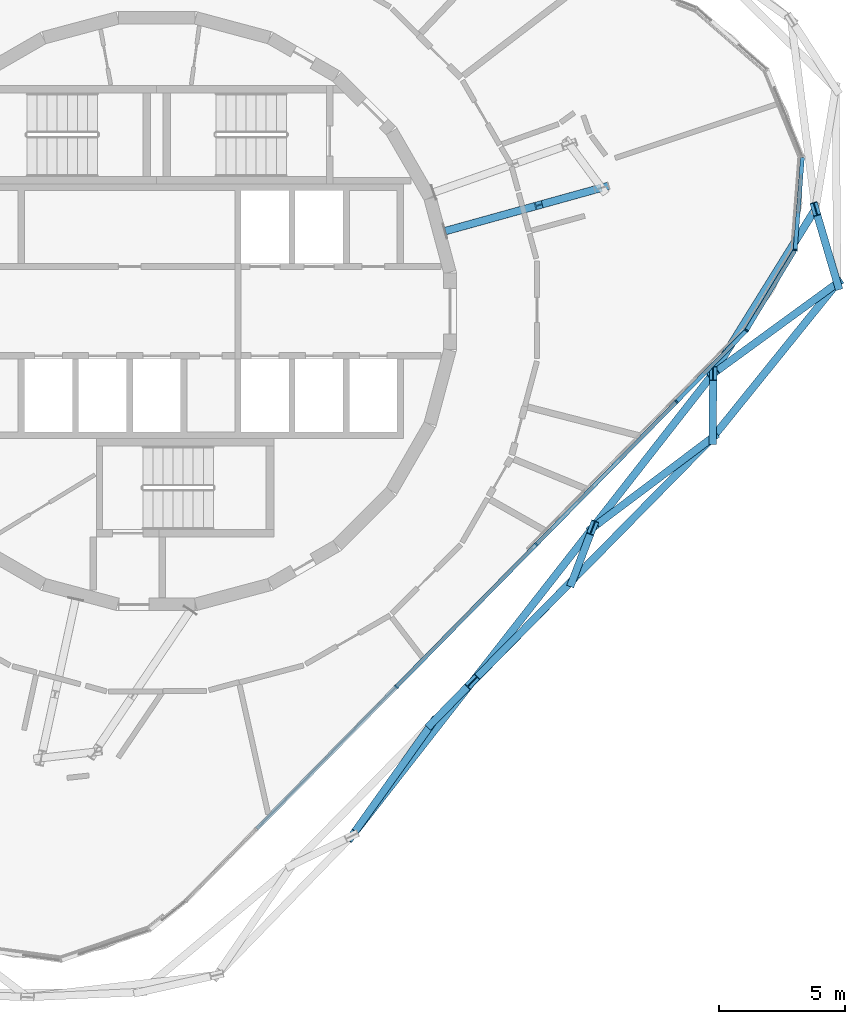
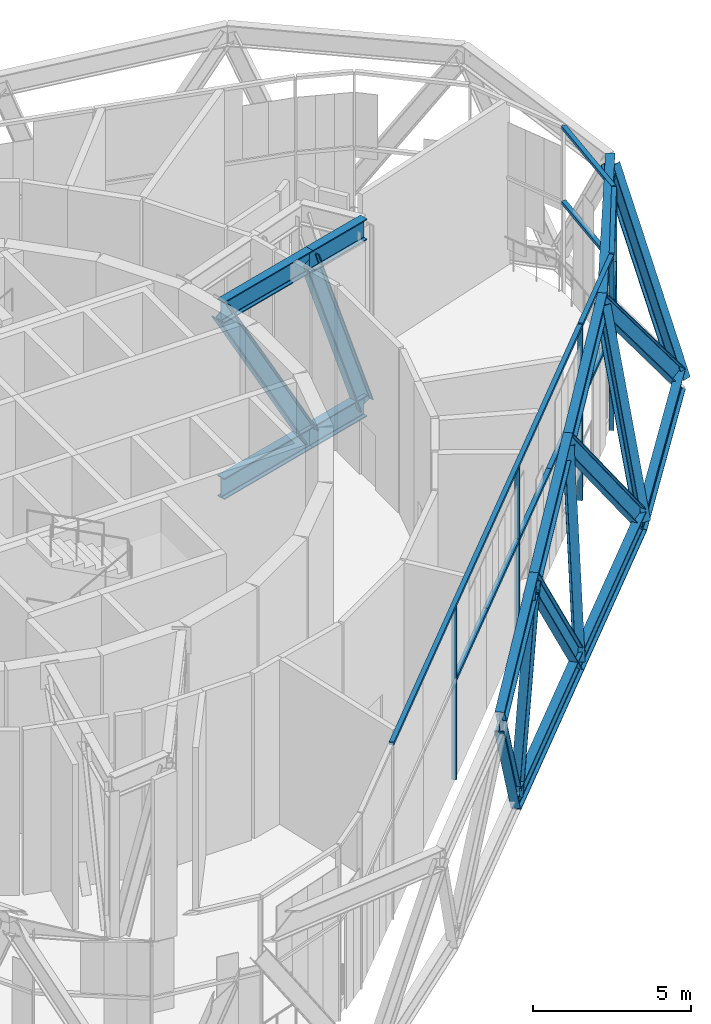
# One storey, part 4 of 23: 37 members, 2 elements without a shape of their own.
"""IFC4 building model written with IfcOpenShell, lengths in metres."""

from ifc_helpers import new_model, si_unit, direction, frame, origin, origin_2d, place, context, subcontext, project, spatial, rectangle, i_section, extrude, material, layer, layer_set, material_profile, profile_set, type_object, element, aggregate, save


model = new_model("IFC4")

# Units and contexts
model_context = context("Model", 3, precision=1e-05, world=origin(), true_north=direction((0.0, 1.0)))
body_context = subcontext(model_context, "Body", "Model", "MODEL_VIEW")
ifc_project = project(units=[si_unit("LENGTHUNIT", "METRE"), si_unit("AREAUNIT", "SQUARE_METRE"), si_unit("VOLUMEUNIT", "CUBIC_METRE"), si_unit("PLANEANGLEUNIT", "RADIAN"), si_unit("MASSUNIT", "GRAM", prefix="KILO")], contexts=[model_context])

# Site, building, storey
site_placement = place(None, origin())
site = spatial("IfcSite", under=ifc_project, at=site_placement, CompositionType="ELEMENT")
building_placement = place(site_placement, origin())
building = spatial("IfcBuilding", under=site, at=building_placement, Name="Spindle Arch Residences", CompositionType="ELEMENT")
storey_placement = place(building_placement, frame((0.0, 0.0, 326.199951171875)))
storey = spatial("IfcBuildingStorey", under=building, at=storey_placement, Name="L84", CompositionType="ELEMENT", Elevation=326.199951171875)

# Members
ifc_material_1 = material(Name="Steel S460ML, intumescent coating R 240", Category="steel")
ifc_material_profile_1 = material_profile(ifc_material_1, i_section(OverallWidth=0.302978515625, OverallDepth=0.81396484375, WebThickness=0.02099609375, FlangeThickness=0.0400390625, FilletRadius=0.030029296875, at=origin_2d()), Name="HEM 800")
ifc_profile_set_1 = profile_set([ifc_material_profile_1], Name="Steel S460ML, intumescent coating R 240")
member_type_1 = type_object("IfcMemberType", Name="Belt truss chord HEM 800", PredefinedType="CHORD", material=ifc_profile_set_1)
member_1_placement = place(storey_placement, frame((16.521484375, -10.6728515625, -0.85693359375), z_axis=(0.700911018066, 0.713248725728, 0.0), x_axis=(-0.713248725728, 0.700911018066, 0.0)))
element("IfcMember", 1, at=member_1_placement, inside=storey, type_object=member_type_1, Name="Belt truss bottom chord L84.1", PredefinedType="CHORD", context=body_context, shape_type="SweptSolid", body=[
    extrude(i_section(OverallWidth=0.302978515625, OverallDepth=0.81396484375, WebThickness=0.02099609375, FlangeThickness=0.0400390625, FilletRadius=0.030029296875, at=origin_2d()), origin(), (0.0, 0.0, 1.0), 7.93505859375),
])
member_2_placement = place(storey_placement, frame((22.083251953125, -5.01318359375, -0.85693359375), z_axis=(0.627968850292, 0.778238474417, 0.0), x_axis=(-0.778238474417, 0.627968850292, 0.0)))
element("IfcMember", 2, at=member_2_placement, inside=storey, type_object=member_type_1, Name="Belt truss bottom chord L84.2", PredefinedType="CHORD", context=body_context, shape_type="SweptSolid", body=[
    extrude(i_section(OverallWidth=0.302978515625, OverallDepth=0.81396484375, WebThickness=0.02099609375, FlangeThickness=0.0400390625, FilletRadius=0.030029296875, at=origin_2d()), origin(), (0.0, 0.0, 1.0), 7.87158203125),
])
member_3_placement = place(storey_placement, frame((10.959716796875, -16.33251953125, -0.85693359375), z_axis=(0.700911018066, 0.713248725728, 0.0), x_axis=(-0.713248725728, 0.700911018066, 0.0)))
element("IfcMember", 3, at=member_3_placement, inside=storey, type_object=member_type_1, Name="Belt truss bottom chord L84.20", PredefinedType="CHORD", context=body_context, shape_type="SweptSolid", body=[
    extrude(i_section(OverallWidth=0.302978515625, OverallDepth=0.81396484375, WebThickness=0.02099609375, FlangeThickness=0.0400390625, FilletRadius=0.030029296875, at=origin_2d()), origin(), (0.0, 0.0, 1.0), 7.93505859375),
])
member_4_placement = place(storey_placement, frame((17.314208984375, -8.60009765625, 5.943115234375), z_axis=(0.615662954551, 0.788009597907, 0.0), x_axis=(-0.788009597907, 0.615662954551, 0.0)))
element("IfcMember", 4, at=member_4_placement, inside=storey, type_object=member_type_1, Name="Belt truss top chord L84.1", PredefinedType="CHORD", context=body_context, shape_type="SweptSolid", body=[
    extrude(i_section(OverallWidth=0.302978515625, OverallDepth=0.81396484375, WebThickness=0.02099609375, FlangeThickness=0.0400390625, FilletRadius=0.030029296875, at=origin_2d()), origin(), (0.0, 0.0, 1.0), 7.765625),
])
member_5_placement = place(storey_placement, frame((22.09521484375, -2.480712890625, 5.943115234375), z_axis=(0.527879093468, 0.849319529199, 0.0), x_axis=(-0.849319529199, 0.527879093468, 0.0)))
element("IfcMember", 5, at=member_5_placement, inside=storey, type_object=member_type_1, Name="Belt truss top chord L84.2", PredefinedType="CHORD", context=body_context, shape_type="SweptSolid", body=[
    extrude(i_section(OverallWidth=0.302978515625, OverallDepth=0.81396484375, WebThickness=0.02099609375, FlangeThickness=0.0400390625, FilletRadius=0.030029296875, at=origin_2d()), origin(), (0.0, 0.0, 1.0), 7.69775390625),
])
member_6_placement = place(storey_placement, frame((7.752197265625, -20.838623046875, 5.943115234375), z_axis=(0.615662954551, 0.788009597907, 0.0), x_axis=(-0.788009597907, 0.615662954551, 0.0)))
element("IfcMember", 6, at=member_6_placement, inside=storey, type_object=member_type_1, Name="Belt truss top chord L84.19", PredefinedType="CHORD", context=body_context, shape_type="SweptSolid", body=[
    extrude(i_section(OverallWidth=0.302978515625, OverallDepth=0.81396484375, WebThickness=0.02099609375, FlangeThickness=0.0400390625, FilletRadius=0.030029296875, at=origin_2d()), origin(), (0.0, 0.0, 1.0), 7.765625),
])
member_7_placement = place(storey_placement, frame((12.533203125, -14.71923828125, 5.943115234375), z_axis=(0.615678207218, 0.787997680933, 0.0), x_axis=(-0.787997680933, 0.615678207218, 0.0)))
element("IfcMember", 7, at=member_7_placement, inside=storey, type_object=member_type_1, Name="Belt truss top chord L84.20", PredefinedType="CHORD", context=body_context, shape_type="SweptSolid", body=[
    extrude(i_section(OverallWidth=0.302978515625, OverallDepth=0.81396484375, WebThickness=0.02099609375, FlangeThickness=0.0400390625, FilletRadius=0.030029296875, at=origin_2d()), origin(), (0.0, 0.0, 1.0), 7.765380859375),
])
ifc_material_2 = material(Name="Steel S460ML, intumescent coating R 240", Category="steel")
ifc_material_profile_2 = material_profile(ifc_material_2, i_section(OverallWidth=0.300048828125, OverallDepth=0.60009765625, WebThickness=0.015380859375, FlangeThickness=0.030029296875, FilletRadius=0.027099609375, at=origin_2d()), Name="HEB 600")
ifc_profile_set_2 = profile_set([ifc_material_profile_2], Name="Steel S460ML, intumescent coating R 240")
member_type_2 = type_object("IfcMemberType", Name="Belt truss diagonal HEB 600", PredefinedType="BRACE", material=ifc_profile_set_2)
member_8_placement = place(storey_placement, frame((16.521484375, -10.6728515625, -0.85693359375), z_axis=(0.11082410098, 0.289774135301, 0.950657124916), x_axis=(-0.934021608704, 0.357216509242, 0.0)))
element("IfcMember", 8, at=member_8_placement, inside=storey, type_object=member_type_2, Name="Belt truss diagonal L84.1.1", PredefinedType="BRACE", context=body_context, shape_type="SweptSolid", body=[
    extrude(i_section(OverallWidth=0.300048828125, OverallDepth=0.60009765625, WebThickness=0.015380859375, FlangeThickness=0.030029296875, FilletRadius=0.027099609375, at=origin_2d()), origin(), (0.0, 0.0, 1.0), 7.153076171875),
])
member_9_placement = place(storey_placement, frame((22.083251953125, -5.01318359375, -0.85693359375), z_axis=(-0.527133801907, -0.396470247651, 0.751625769659), x_axis=(0.601086081845, -0.799184285514, 0.0)))
element("IfcMember", 9, at=member_9_placement, inside=storey, type_object=member_type_2, Name="Belt truss diagonal L84.1.2", PredefinedType="BRACE", context=body_context, shape_type="SweptSolid", body=[
    extrude(i_section(OverallWidth=0.300048828125, OverallDepth=0.60009765625, WebThickness=0.015380859375, FlangeThickness=0.030029296875, FilletRadius=0.027099609375, at=origin_2d()), origin(), (0.0, 0.0, 1.0), 9.047119140625),
])
member_10_placement = place(storey_placement, frame((22.083251953125, -5.01318359375, -0.85693359375), z_axis=(0.001648616191, 0.349001954041, 0.937120546216), x_axis=(-0.999988843033, 0.004723749475, 0.0)))
element("IfcMember", 10, at=member_10_placement, inside=storey, type_object=member_type_2, Name="Belt truss diagonal L84.2.2", PredefinedType="BRACE", context=body_context, shape_type="SweptSolid", body=[
    extrude(i_section(OverallWidth=0.300048828125, OverallDepth=0.60009765625, WebThickness=0.015380859375, FlangeThickness=0.030029296875, FilletRadius=0.027099609375, at=origin_2d()), origin(), (0.0, 0.0, 1.0), 7.25634765625),
])
member_11_placement = place(storey_placement, frame((27.0263671875, 1.11279296875, -0.85693359375), z_axis=(-0.539737585582, -0.393325949212, 0.74429700818), x_axis=(0.588944644244, -0.808173376211, 0.0)))
element("IfcMember", 11, at=member_11_placement, inside=storey, type_object=member_type_2, Name="Belt truss diagonal L84.2.3", PredefinedType="BRACE", context=body_context, shape_type="SweptSolid", body=[
    extrude(i_section(OverallWidth=0.300048828125, OverallDepth=0.60009765625, WebThickness=0.015380859375, FlangeThickness=0.030029296875, FilletRadius=0.027099609375, at=origin_2d()), origin(), (0.0, 0.0, 1.0), 9.13623046875),
])
member_12_placement = place(storey_placement, frame((27.0263671875, 1.11279296875, -0.85693359375), z_axis=(-0.116298892084, 0.39464396132, 0.911444299721), x_axis=(-0.959215918552, -0.282674409165, 0.0)))
element("IfcMember", 12, at=member_12_placement, inside=storey, type_object=member_type_2, Name="Belt truss diagonal L84.3.3", PredefinedType="BRACE", context=body_context, shape_type="SweptSolid", body=[
    extrude(i_section(OverallWidth=0.300048828125, OverallDepth=0.60009765625, WebThickness=0.015380859375, FlangeThickness=0.030029296875, FilletRadius=0.027099609375, at=origin_2d()), origin(), (0.0, 0.0, 1.0), 7.460693359375),
])
member_13_placement = place(storey_placement, frame((10.959716796875, -16.33251953125, -0.85693359375), z_axis=(-0.365925868423, -0.514073203949, 0.775775096147), x_axis=(0.814683767483, -0.579905474194, 0.0)))
element("IfcMember", 13, at=member_13_placement, inside=storey, type_object=member_type_2, Name="Belt truss diagonal L84.19.20", PredefinedType="BRACE", context=body_context, shape_type="SweptSolid", body=[
    extrude(i_section(OverallWidth=0.300048828125, OverallDepth=0.60009765625, WebThickness=0.015380859375, FlangeThickness=0.030029296875, FilletRadius=0.027099609375, at=origin_2d()), origin(), (0.0, 0.0, 1.0), 8.765380859375),
])
member_14_placement = place(storey_placement, frame((10.959716796875, -16.33251953125, -0.85693359375), z_axis=(0.219645867267, 0.225200914026, 0.949231395032), x_axis=(-0.715880998325, 0.698222311472, 0.0)))
element("IfcMember", 14, at=member_14_placement, inside=storey, type_object=member_type_2, Name="Belt truss diagonal L84.20.20", PredefinedType="BRACE", context=body_context, shape_type="SweptSolid", body=[
    extrude(i_section(OverallWidth=0.300048828125, OverallDepth=0.60009765625, WebThickness=0.015380859375, FlangeThickness=0.030029296875, FilletRadius=0.027099609375, at=origin_2d()), origin(), (0.0, 0.0, 1.0), 7.163818359375),
])
member_15_placement = place(storey_placement, frame((16.521484375, -10.6728515625, -0.85693359375), z_axis=(-0.450085280732, -0.456642595669, 0.767398709857), x_axis=(0.712201843736, -0.701974738704, 0.0)))
element("IfcMember", 15, at=member_15_placement, inside=storey, type_object=member_type_2, Name="Belt truss diagonal L84.20.1", PredefinedType="BRACE", context=body_context, shape_type="SweptSolid", body=[
    extrude(i_section(OverallWidth=0.300048828125, OverallDepth=0.60009765625, WebThickness=0.015380859375, FlangeThickness=0.030029296875, FilletRadius=0.027099609375, at=origin_2d()), origin(), (0.0, 0.0, 1.0), 8.861083984375),
])

# Curtain wall, members
ifc_material_3 = material(Name="Aluminium bronze unitised frame with tinted glass", Category="aluminium")
ifc_layer = layer(ifc_material_3, 0.159912109375)
ifc_layer_set = layer_set([ifc_layer], Name="CW-E double-height winter garden wall")
curtain_wall_type = type_object("IfcCurtainWallType", Name="CW-E double-height winter garden wall", PredefinedType="NOTDEFINED", material=ifc_layer_set)
curtain_wall_1_placement = place(storey_placement, origin())
curtain_wall_1 = element("IfcCurtainWall", 16, at=curtain_wall_1_placement, inside=storey, type_object=curtain_wall_type, Name="CW-E L84 run 1", PredefinedType="NOTDEFINED")
ifc_material_4 = material(Name="Aluminium bronze anodised mullion", Category="aluminium")
ifc_material_profile_3 = material_profile(ifc_material_4, rectangle(XDim=0.159912109375, YDim=0.06005859375, at=origin_2d()), Name="MU 60x160")
ifc_profile_set_3 = profile_set([ifc_material_profile_3], Name="Aluminium bronze anodised mullion")
member_type_3 = type_object("IfcMemberType", Name="Bronze mullion 60x160", PredefinedType="MULLION", material=ifc_profile_set_3)
member_16_placement = place(storey_placement, frame((20.642333984375, -3.597412109375, -0.449951171875), z_axis=(0.0, 0.0, 1.0), x_axis=(-0.713250449154, 0.7009092643, 0.0)))
member_16 = element("IfcMember", 17, at=member_16_placement, type_object=member_type_3, Name="CW-E mullion 00", PredefinedType="MULLION", context=body_context, shape_type="SweptSolid", body=[
    extrude(rectangle(XDim=0.159912109375, YDim=0.06005859375, at=origin_2d()), origin(), (0.0, 0.0, 1.0), 6.679931640625),
])
member_17_placement = place(storey_placement, frame((23.42578125, -0.76513671875, -0.449951171875), z_axis=(0.0, 0.0, 1.0), x_axis=(-0.855665492936, 0.517529288252, 0.0)))
member_17 = element("IfcMember", 18, at=member_17_placement, type_object=member_type_3, Name="CW-E mullion 01", PredefinedType="MULLION", context=body_context, shape_type="SweptSolid", body=[
    extrude(rectangle(XDim=0.159912109375, YDim=0.06005859375, at=origin_2d()), origin(), (0.0, 0.0, 1.0), 6.679931640625),
])
member_18_placement = place(storey_placement, frame((25.3544921875, 2.423828125, -0.449951171875), z_axis=(0.0, 0.0, 1.0), x_axis=(-0.996917334032, 0.078459091935, 0.0)))
member_18 = element("IfcMember", 19, at=member_18_placement, type_object=member_type_3, Name="CW-E mullion 02", PredefinedType="MULLION", context=body_context, shape_type="SweptSolid", body=[
    extrude(rectangle(XDim=0.159912109375, YDim=0.06005859375, at=origin_2d()), origin(), (0.0, 0.0, 1.0), 6.679931640625),
])

curtain_wall_2_placement = place(storey_placement, origin())
curtain_wall_2 = element("IfcCurtainWall", 20, at=curtain_wall_2_placement, inside=storey, type_object=curtain_wall_type, Name="CW-E L84 run 6", PredefinedType="NOTDEFINED")
member_19_placement = place(storey_placement, frame((9.518798828125, -14.916748046875, -0.449951171875), z_axis=(0.0, 0.0, 1.0), x_axis=(-0.713250449154, 0.7009092643, 0.0)))
member_19 = element("IfcMember", 21, at=member_19_placement, type_object=member_type_3, Name="CW-E mullion 19", PredefinedType="MULLION", context=body_context, shape_type="SweptSolid", body=[
    extrude(rectangle(XDim=0.159912109375, YDim=0.06005859375, at=origin_2d()), origin(), (0.0, 0.0, 1.0), 6.679931640625),
])
member_20_placement = place(storey_placement, frame((15.08056640625, -9.257080078125, -0.449951171875), z_axis=(0.0, 0.0, 1.0), x_axis=(-0.713250449154, 0.7009092643, 0.0)))
member_20 = element("IfcMember", 22, at=member_20_placement, type_object=member_type_3, Name="CW-E mullion 00", PredefinedType="MULLION", context=body_context, shape_type="SweptSolid", body=[
    extrude(rectangle(XDim=0.159912109375, YDim=0.06005859375, at=origin_2d()), origin(), (0.0, 0.0, 1.0), 6.679931640625),
])

# Member
ifc_material_5 = material(Name="Aluminium bronze anodised transom", Category="aluminium")
ifc_material_profile_4 = material_profile(ifc_material_5, rectangle(XDim=0.159912109375, YDim=0.1201171875, at=origin_2d()), Name="TR 120x160")
ifc_profile_set_4 = profile_set([ifc_material_profile_4], Name="Aluminium bronze anodised transom")
member_type_4 = type_object("IfcMemberType", Name="Bronze transom 120x160", PredefinedType="USERDEFINED", material=ifc_profile_set_4)
member_21_placement = place(storey_placement, frame((20.663330078125, -3.575927734375, 6.2900390625), z_axis=(0.70089977121, 0.713259777863, 0.0), x_axis=(-0.713259777863, 0.70089977121, 0.0)))
member_21 = element("IfcMember", 23, at=member_21_placement, type_object=member_type_4, Name="CW-E transom 00", ObjectType="TRANSOM", PredefinedType="USERDEFINED", context=body_context, shape_type="SweptSolid", body=[
    extrude(rectangle(XDim=0.159912109375, YDim=0.1201171875, at=origin_2d()), origin(), (0.0, 0.0, 1.0), 3.910888671875),
])

member_22_placement = place(storey_placement, frame((20.663330078125, -3.575927734375, 3.400146484375), z_axis=(0.70089977121, 0.713259777863, 0.0), x_axis=(-0.713259777863, 0.70089977121, 0.0)))
member_22 = element("IfcMember", 24, at=member_22_placement, type_object=member_type_4, Name="CW-E transom 00m", ObjectType="TRANSOM", PredefinedType="USERDEFINED", context=body_context, shape_type="SweptSolid", body=[
    extrude(rectangle(XDim=0.159912109375, YDim=0.1201171875, at=origin_2d()), origin(), (0.0, 0.0, 1.0), 3.910888671875),
])

member_23_placement = place(storey_placement, frame((23.441162109375, -0.739501953125, 6.2900390625), z_axis=(0.517517977751, 0.855672333726, 0.0), x_axis=(-0.855672333726, 0.517517977751, 0.0)))
member_23 = element("IfcMember", 25, at=member_23_placement, type_object=member_type_4, Name="CW-E transom 01", ObjectType="TRANSOM", PredefinedType="USERDEFINED", context=body_context, shape_type="SweptSolid", body=[
    extrude(rectangle(XDim=0.159912109375, YDim=0.1201171875, at=origin_2d()), origin(), (0.0, 0.0, 1.0), 3.6669921875),
])

member_24_placement = place(storey_placement, frame((23.441162109375, -0.739501953125, 3.400146484375), z_axis=(0.517517977751, 0.855672333726, 0.0), x_axis=(-0.855672333726, 0.517517977751, 0.0)))
member_24 = element("IfcMember", 26, at=member_24_placement, type_object=member_type_4, Name="CW-E transom 01m", ObjectType="TRANSOM", PredefinedType="USERDEFINED", context=body_context, shape_type="SweptSolid", body=[
    extrude(rectangle(XDim=0.159912109375, YDim=0.1201171875, at=origin_2d()), origin(), (0.0, 0.0, 1.0), 3.6669921875),
])

member_25_placement = place(storey_placement, frame((25.356689453125, 2.45361328125, 6.2900390625), z_axis=(0.078498754798, 0.996914211703, 0.0), x_axis=(-0.996914211703, 0.078498754798, 0.0)))
member_25 = element("IfcMember", 27, at=member_25_placement, type_object=member_type_4, Name="CW-E transom 02", ObjectType="TRANSOM", PredefinedType="USERDEFINED", context=body_context, shape_type="SweptSolid", body=[
    extrude(rectangle(XDim=0.159912109375, YDim=0.1201171875, at=origin_2d()), origin(), (0.0, 0.0, 1.0), 3.666748046875),
])

member_26_placement = place(storey_placement, frame((25.356689453125, 2.45361328125, 3.400146484375), z_axis=(0.078498754798, 0.996914211703, 0.0), x_axis=(-0.996914211703, 0.078498754798, 0.0)))
member_26 = element("IfcMember", 28, at=member_26_placement, type_object=member_type_4, Name="CW-E transom 02m", ObjectType="TRANSOM", PredefinedType="USERDEFINED", context=body_context, shape_type="SweptSolid", body=[
    extrude(rectangle(XDim=0.159912109375, YDim=0.1201171875, at=origin_2d()), origin(), (0.0, 0.0, 1.0), 3.666748046875),
])

aggregate(curtain_wall_1, [member_16, member_21, member_22, member_17, member_23, member_24, member_18, member_25, member_26])

member_27_placement = place(storey_placement, frame((3.97802734375, -20.55517578125, 6.2900390625), z_axis=(0.700905736119, 0.71325391627, 0.0), x_axis=(-0.71325391627, 0.700905736119, 0.0)))
member_27 = element("IfcMember", 29, at=member_27_placement, type_object=member_type_4, Name="CW-E transom 00", ObjectType="TRANSOM", PredefinedType="USERDEFINED", context=body_context, shape_type="SweptSolid", body=[
    extrude(rectangle(XDim=0.159912109375, YDim=0.1201171875, at=origin_2d()), origin(), (0.0, 0.0, 1.0), 23.745361328125),
])

member_28_placement = place(storey_placement, frame((9.539794921875, -14.895263671875, 3.400146484375), z_axis=(0.700941858989, 0.713218416979, 0.0), x_axis=(-0.713218416979, 0.700941858989, 0.0)))
member_28 = element("IfcMember", 30, at=member_28_placement, type_object=member_type_4, Name="CW-E transom 19Am", ObjectType="TRANSOM", PredefinedType="USERDEFINED", context=body_context, shape_type="SweptSolid", body=[
    extrude(rectangle(XDim=0.159912109375, YDim=0.1201171875, at=origin_2d()), origin(), (0.0, 0.0, 1.0), 3.9375),
])

member_29_placement = place(storey_placement, frame((12.2998046875, -12.0869140625, 3.400146484375), z_axis=(0.700910317307, 0.713249414365, 0.0), x_axis=(-0.713249414365, 0.700910317307, 0.0)))
member_29 = element("IfcMember", 31, at=member_29_placement, type_object=member_type_4, Name="CW-E transom 19Bm", ObjectType="TRANSOM", PredefinedType="USERDEFINED", context=body_context, shape_type="SweptSolid", body=[
    extrude(rectangle(XDim=0.159912109375, YDim=0.1201171875, at=origin_2d()), origin(), (0.0, 0.0, 1.0), 3.9375),
])

member_30_placement = place(storey_placement, frame((15.1015625, -9.235595703125, 3.400146484375), z_axis=(0.700941858989, 0.713218416979, 0.0), x_axis=(-0.713218416979, 0.700941858989, 0.0)))
member_30 = element("IfcMember", 32, at=member_30_placement, type_object=member_type_4, Name="CW-E transom 00Am", ObjectType="TRANSOM", PredefinedType="USERDEFINED", context=body_context, shape_type="SweptSolid", body=[
    extrude(rectangle(XDim=0.159912109375, YDim=0.1201171875, at=origin_2d()), origin(), (0.0, 0.0, 1.0), 3.9375),
])

member_31_placement = place(storey_placement, frame((17.861572265625, -6.42724609375, 3.400146484375), z_axis=(0.70087931998, 0.71327987412, 0.0), x_axis=(-0.71327987412, 0.70087931998, 0.0)))
member_31 = element("IfcMember", 33, at=member_31_placement, type_object=member_type_4, Name="CW-E transom 00Bm", ObjectType="TRANSOM", PredefinedType="USERDEFINED", context=body_context, shape_type="SweptSolid", body=[
    extrude(rectangle(XDim=0.159912109375, YDim=0.1201171875, at=origin_2d()), origin(), (0.0, 0.0, 1.0), 3.9375),
])

aggregate(curtain_wall_2, [member_27, member_19, member_28, member_29, member_20, member_30, member_31])

# Members
ifc_material_6 = material(Name="Steel S460ML, intumescent coating R 240", Category="steel")
ifc_material_profile_5 = material_profile(ifc_material_6, i_section(OverallWidth=0.302978515625, OverallDepth=0.81396484375, WebThickness=0.02099609375, FlangeThickness=0.0400390625, FilletRadius=0.030029296875, at=origin_2d()), Name="HEM 800")
ifc_profile_set_5 = profile_set([ifc_material_profile_5], Name="Steel S460ML, intumescent coating R 240")
member_type_5 = type_object("IfcMemberType", Name="Transfer truss chord HEM 800", PredefinedType="CHORD", material=ifc_profile_set_5)
for number, where, z_axis, x_axis, name in (
    (34, (11.465087890625, 3.1796875, -0.85693359375), (0.963643239109, 0.267192267328, 0.0), (-0.267192267328, 0.963643239109, 0.0), "Transfer truss chord L84"),
    (35, (11.465087890625, 3.1796875, 5.943115234375), (0.963643239109, 0.267192267328, 0.0), (-0.267192267328, 0.963643239109, 0.0), "Transfer truss chord L84"),
):
    element("IfcMember", number, at=place(storey_placement, frame(where, z_axis=z_axis, x_axis=x_axis)), inside=storey, type_object=member_type_5, Name=name, PredefinedType="CHORD", context=body_context, shape_type="SweptSolid", body=[
        extrude(i_section(OverallWidth=0.302978515625, OverallDepth=0.81396484375, WebThickness=0.02099609375, FlangeThickness=0.0400390625, FilletRadius=0.030029296875, at=origin_2d()), origin(), (0.0, 0.0, 1.0), 3.987548828125),
    ])
for number, where, z_axis, x_axis, name in (
    (36, (15.3076171875, 4.2451171875, -0.85693359375), (0.963632319663, 0.26723164577, 0.0), (-0.26723164577, 0.963632319663, 0.0), "Transfer truss chord L84"),
    (37, (15.3076171875, 4.2451171875, 5.943115234375), (0.963632319663, 0.26723164577, 0.0), (-0.26723164577, 0.963632319663, 0.0), "Transfer truss chord L84"),
):
    element("IfcMember", number, at=place(storey_placement, frame(where, z_axis=z_axis, x_axis=x_axis)), inside=storey, type_object=member_type_5, Name=name, PredefinedType="CHORD", context=body_context, shape_type="SweptSolid", body=[
        extrude(i_section(OverallWidth=0.302978515625, OverallDepth=0.81396484375, WebThickness=0.02099609375, FlangeThickness=0.0400390625, FilletRadius=0.030029296875, at=origin_2d()), origin(), (0.0, 0.0, 1.0), 2.44384765625),
    ])
ifc_material_7 = material(Name="Steel S460ML, intumescent coating R 240", Category="steel")
ifc_material_profile_6 = material_profile(ifc_material_7, i_section(OverallWidth=0.304931640625, OverallDepth=0.6201171875, WebThickness=0.02099609375, FlangeThickness=0.0400390625, FilletRadius=0.027099609375, at=origin_2d()), Name="HEM 600")
ifc_profile_set_6 = profile_set([ifc_material_profile_6], Name="Steel S460ML, intumescent coating R 240")
member_type_6 = type_object("IfcMemberType", Name="Transfer truss diagonal HEM 600", PredefinedType="BRACE", material=ifc_profile_set_6)
member_32_placement = place(storey_placement, frame((15.3076171875, 4.2451171875, -0.85693359375), z_axis=(-0.487448391911, -0.135156285806, 0.862627870887), x_axis=(0.267192267328, -0.963643239109, 0.0)))
element("IfcMember", 38, at=member_32_placement, inside=storey, type_object=member_type_6, Name="Transfer truss diagonal L84", PredefinedType="BRACE", context=body_context, shape_type="SweptSolid", body=[
    extrude(i_section(OverallWidth=0.304931640625, OverallDepth=0.6201171875, WebThickness=0.02099609375, FlangeThickness=0.0400390625, FilletRadius=0.027099609375, at=origin_2d()), origin(), (0.0, 0.0, 1.0), 7.883056640625),
])
member_33_placement = place(storey_placement, frame((17.66259765625, 4.898193359375, -0.85693359375), z_axis=(-0.325909895511, -0.090380361859, 0.941070736023), x_axis=(0.26723164577, -0.963632319663, 0.0)))
element("IfcMember", 39, at=member_33_placement, inside=storey, type_object=member_type_6, Name="Transfer truss diagonal L84", PredefinedType="BRACE", context=body_context, shape_type="SweptSolid", body=[
    extrude(i_section(OverallWidth=0.304931640625, OverallDepth=0.6201171875, WebThickness=0.02099609375, FlangeThickness=0.0400390625, FilletRadius=0.027099609375, at=origin_2d()), origin(), (0.0, 0.0, 1.0), 7.225830078125),
])

save(model, "model.ifc")
